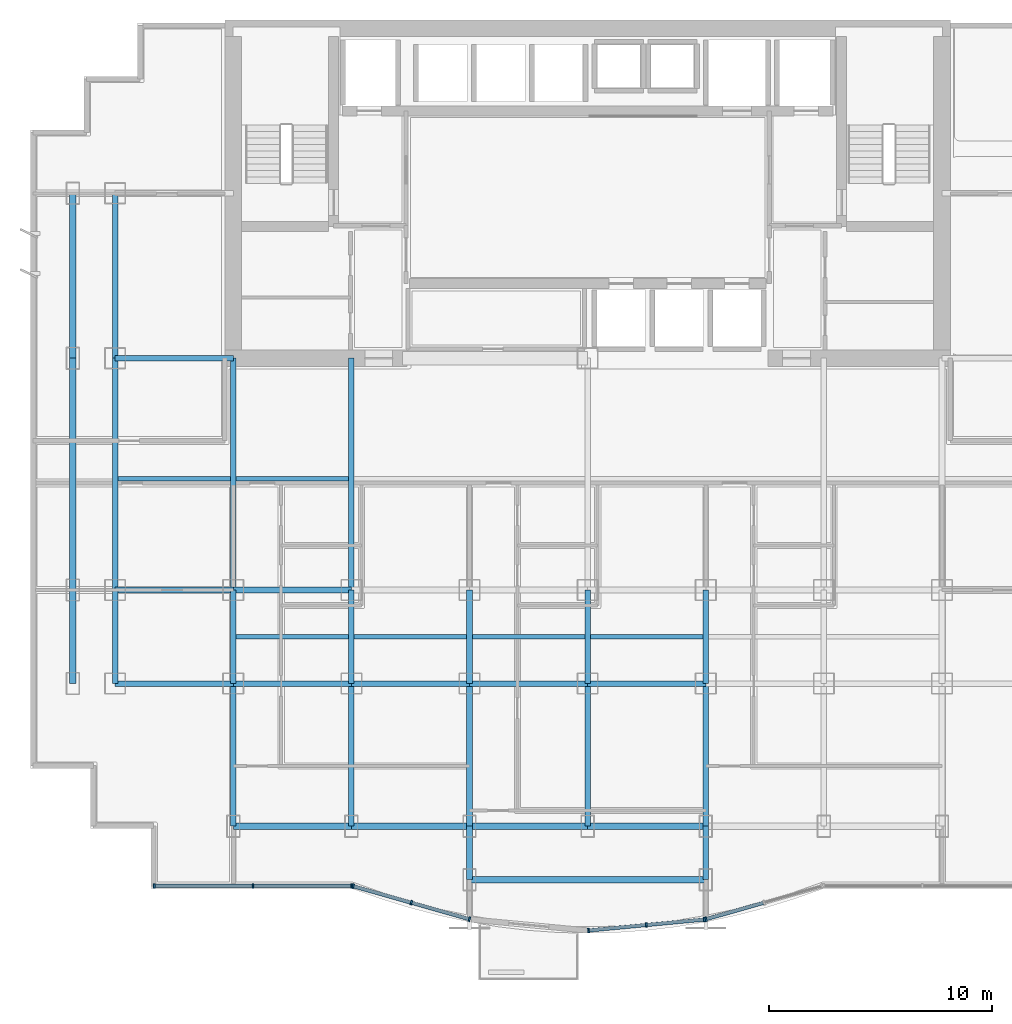
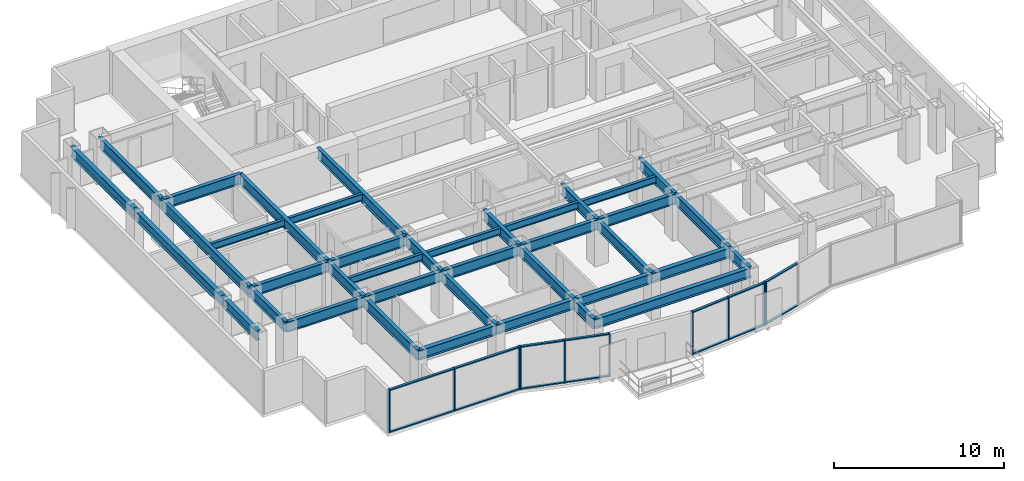
# One storey, part 2 of 9: 39 beams, 24 members, 4 elements without a shape of their own.
"""IFC4 building model written with IfcOpenShell, lengths in metres."""

from ifc_helpers import new_model, si_unit, direction, frame, origin, origin_2d, place, context, subcontext, project, spatial, rectangle, i_section, extrude, source, transform, mapped, material, layer, layer_set, material_profile, profile_set, type_object, element, aggregate, save


model = new_model("IFC4")

# Units and contexts
model_context = context("Model", 3, precision=1e-05, world=origin(), true_north=direction((0.0, 1.0)))
body_context = subcontext(model_context, "Body", "Model", "MODEL_VIEW")
ifc_project = project(units=[si_unit("LENGTHUNIT", "METRE"), si_unit("AREAUNIT", "SQUARE_METRE"), si_unit("VOLUMEUNIT", "CUBIC_METRE"), si_unit("PLANEANGLEUNIT", "RADIAN"), si_unit("MASSUNIT", "GRAM", prefix="KILO")], contexts=[model_context])

# Site, building, storey
site_placement = place(None, origin())
site = spatial("IfcSite", under=ifc_project, at=site_placement, CompositionType="ELEMENT")
building_placement = place(site_placement, origin())
building = spatial("IfcBuilding", under=site, at=building_placement, Name="Qianlan Lanfeng Residences", CompositionType="ELEMENT")
storey_placement = place(building_placement, frame((0.0, 0.0, 111.39990234375)))
storey = spatial("IfcBuildingStorey", under=building, at=storey_placement, Name="L30", CompositionType="ELEMENT", Elevation=111.39990234375)

# Beams
ifc_material_1 = material(Name="Steel SN490B", Category="steel")
ifc_material_profile_1 = material_profile(ifc_material_1, i_section(OverallWidth=0.25, OverallDepth=0.75, WebThickness=0.013916015625, FlangeThickness=0.02490234375, at=origin_2d()), Name="H 750x250x14x25")
ifc_profile_set_1 = profile_set([ifc_material_profile_1], Name="Steel SN490B")
beam_type_1 = type_object("IfcBeamType", Name="G-850", PredefinedType="BEAM", material=ifc_profile_set_1)
beam_1_placement = place(storey_placement, frame((5.300048828125, 10.60009765625, 2.715087890625), z_axis=(1.0, 0.0, 0.0), x_axis=(0.0, 1.0, 0.0)))
element("IfcBeam", 1, at=beam_1_placement, inside=storey, type_object=beam_type_1, Name="Structural beam G-850", PredefinedType="BEAM", context=body_context, shape_type="SweptSolid", body=[
    extrude(i_section(OverallWidth=0.25, OverallDepth=0.75, WebThickness=0.013916015625, FlangeThickness=0.02490234375, at=origin_2d()), origin(), (0.0, 0.0, 1.0), 5.300048828125),
])
beam_2_placement = place(storey_placement, frame((10.60009765625, 10.60009765625, 2.715087890625), z_axis=(1.0, 0.0, 0.0), x_axis=(0.0, 1.0, 0.0)))
element("IfcBeam", 2, at=beam_2_placement, inside=storey, type_object=beam_type_1, Name="Structural beam G-850", PredefinedType="BEAM", context=body_context, shape_type="SweptSolid", body=[
    extrude(i_section(OverallWidth=0.25, OverallDepth=0.75, WebThickness=0.013916015625, FlangeThickness=0.02490234375, at=origin_2d()), origin(), (0.0, 0.0, 1.0), 5.2998046875),
])
for number, where, z_axis, x_axis, name in (
    (3, (15.89990234375, 10.60009765625, 2.715087890625), (1.0, 0.0, 0.0), (0.0, 1.0, 0.0), "Structural beam G-850"),
    (4, (21.199951171875, 10.60009765625, 2.715087890625), (1.0, 0.0, 0.0), (0.0, 1.0, 0.0), "Structural beam G-850"),
    (5, (26.5, 10.60009765625, 2.715087890625), (1.0, 0.0, 0.0), (0.0, 1.0, 0.0), "Structural beam G-850"),
    (6, (5.300048828125, 14.800048828125, 2.715087890625), (1.0, 0.0, 0.0), (0.0, 1.0, 0.0), "Structural beam G-850"),
):
    element("IfcBeam", number, at=place(storey_placement, frame(where, z_axis=z_axis, x_axis=x_axis)), inside=storey, type_object=beam_type_1, Name=name, PredefinedType="BEAM", context=body_context, shape_type="SweptSolid", body=[
        extrude(i_section(OverallWidth=0.25, OverallDepth=0.75, WebThickness=0.013916015625, FlangeThickness=0.02490234375, at=origin_2d()), origin(), (0.0, 0.0, 1.0), 5.300048828125),
    ])
beam_3_placement = place(storey_placement, frame((10.60009765625, 14.800048828125, 2.715087890625), z_axis=(1.0, 0.0, 0.0), x_axis=(0.0, 1.0, 0.0)))
element("IfcBeam", 7, at=beam_3_placement, inside=storey, type_object=beam_type_1, Name="Structural beam G-850", PredefinedType="BEAM", context=body_context, shape_type="SweptSolid", body=[
    extrude(i_section(OverallWidth=0.25, OverallDepth=0.75, WebThickness=0.013916015625, FlangeThickness=0.02490234375, at=origin_2d()), origin(), (0.0, 0.0, 1.0), 5.2998046875),
])
beam_4_placement = place(storey_placement, frame((5.300048828125, 25.199951171875, 2.715087890625), z_axis=(1.0, 0.0, 0.0), x_axis=(0.0, 1.0, 0.0)))
element("IfcBeam", 8, at=beam_4_placement, inside=storey, type_object=beam_type_1, Name="Structural beam G-850", PredefinedType="BEAM", context=body_context, shape_type="SweptSolid", body=[
    extrude(i_section(OverallWidth=0.25, OverallDepth=0.75, WebThickness=0.013916015625, FlangeThickness=0.02490234375, at=origin_2d()), origin(), (0.0, 0.0, 1.0), 5.300048828125),
])
beam_5_placement = place(storey_placement, frame((5.300048828125, 10.60009765625, 2.715087890625), z_axis=(0.0, 1.0, 0.0), x_axis=(-1.0, 0.0, 0.0)))
element("IfcBeam", 9, at=beam_5_placement, inside=storey, type_object=beam_type_1, Name="Structural beam G-850", PredefinedType="BEAM", context=body_context, shape_type="SweptSolid", body=[
    extrude(i_section(OverallWidth=0.25, OverallDepth=0.75, WebThickness=0.013916015625, FlangeThickness=0.02490234375, at=origin_2d()), origin(), (0.0, 0.0, 1.0), 4.199951171875),
])
beam_6_placement = place(storey_placement, frame((5.300048828125, 14.800048828125, 2.715087890625), z_axis=(0.0, 1.0, 0.0), x_axis=(-1.0, 0.0, 0.0)))
element("IfcBeam", 10, at=beam_6_placement, inside=storey, type_object=beam_type_1, Name="Structural beam G-850", PredefinedType="BEAM", context=body_context, shape_type="SweptSolid", body=[
    extrude(i_section(OverallWidth=0.25, OverallDepth=0.75, WebThickness=0.013916015625, FlangeThickness=0.02490234375, at=origin_2d()), origin(), (0.0, 0.0, 1.0), 10.39990234375),
])
beam_7_placement = place(storey_placement, frame((5.300048828125, 25.199951171875, 2.715087890625), z_axis=(0.0, 1.0, 0.0), x_axis=(-1.0, 0.0, 0.0)))
element("IfcBeam", 11, at=beam_7_placement, inside=storey, type_object=beam_type_1, Name="Structural beam G-850", PredefinedType="BEAM", context=body_context, shape_type="SweptSolid", body=[
    extrude(i_section(OverallWidth=0.25, OverallDepth=0.75, WebThickness=0.013916015625, FlangeThickness=0.02490234375, at=origin_2d()), origin(), (0.0, 0.0, 1.0), 7.400146484375),
])
beam_8_placement = place(storey_placement, frame((10.60009765625, 4.199951171875, 2.715087890625), z_axis=(0.0, 1.0, 0.0), x_axis=(-1.0, 0.0, 0.0)))
element("IfcBeam", 12, at=beam_8_placement, inside=storey, type_object=beam_type_1, Name="Structural beam G-850", PredefinedType="BEAM", context=body_context, shape_type="SweptSolid", body=[
    extrude(i_section(OverallWidth=0.25, OverallDepth=0.75, WebThickness=0.013916015625, FlangeThickness=0.02490234375, at=origin_2d()), origin(), (0.0, 0.0, 1.0), 6.400146484375),
])
beam_9_placement = place(storey_placement, frame((10.60009765625, 10.60009765625, 2.715087890625), z_axis=(0.0, 1.0, 0.0), x_axis=(-1.0, 0.0, 0.0)))
element("IfcBeam", 13, at=beam_9_placement, inside=storey, type_object=beam_type_1, Name="Structural beam G-850", PredefinedType="BEAM", context=body_context, shape_type="SweptSolid", body=[
    extrude(i_section(OverallWidth=0.25, OverallDepth=0.75, WebThickness=0.013916015625, FlangeThickness=0.02490234375, at=origin_2d()), origin(), (0.0, 0.0, 1.0), 4.199951171875),
])
beam_10_placement = place(storey_placement, frame((10.60009765625, 14.800048828125, 2.715087890625), z_axis=(0.0, 1.0, 0.0), x_axis=(-1.0, 0.0, 0.0)))
element("IfcBeam", 14, at=beam_10_placement, inside=storey, type_object=beam_type_1, Name="Structural beam G-850", PredefinedType="BEAM", context=body_context, shape_type="SweptSolid", body=[
    extrude(i_section(OverallWidth=0.25, OverallDepth=0.75, WebThickness=0.013916015625, FlangeThickness=0.02490234375, at=origin_2d()), origin(), (0.0, 0.0, 1.0), 10.39990234375),
])
beam_11_placement = place(storey_placement, frame((15.89990234375, 4.199951171875, 2.715087890625), z_axis=(0.0, 1.0, 0.0), x_axis=(-1.0, 0.0, 0.0)))
element("IfcBeam", 15, at=beam_11_placement, inside=storey, type_object=beam_type_1, Name="Structural beam G-850", PredefinedType="BEAM", context=body_context, shape_type="SweptSolid", body=[
    extrude(i_section(OverallWidth=0.25, OverallDepth=0.75, WebThickness=0.013916015625, FlangeThickness=0.02490234375, at=origin_2d()), origin(), (0.0, 0.0, 1.0), 6.400146484375),
])
beam_12_placement = place(storey_placement, frame((15.89990234375, 10.60009765625, 2.715087890625), z_axis=(0.0, 1.0, 0.0), x_axis=(-1.0, 0.0, 0.0)))
element("IfcBeam", 16, at=beam_12_placement, inside=storey, type_object=beam_type_1, Name="Structural beam G-850", PredefinedType="BEAM", context=body_context, shape_type="SweptSolid", body=[
    extrude(i_section(OverallWidth=0.25, OverallDepth=0.75, WebThickness=0.013916015625, FlangeThickness=0.02490234375, at=origin_2d()), origin(), (0.0, 0.0, 1.0), 4.199951171875),
])
beam_13_placement = place(storey_placement, frame((15.89990234375, 14.800048828125, 2.715087890625), z_axis=(0.0, 1.0, 0.0), x_axis=(-1.0, 0.0, 0.0)))
element("IfcBeam", 17, at=beam_13_placement, inside=storey, type_object=beam_type_1, Name="Structural beam G-850", PredefinedType="BEAM", context=body_context, shape_type="SweptSolid", body=[
    extrude(i_section(OverallWidth=0.25, OverallDepth=0.75, WebThickness=0.013916015625, FlangeThickness=0.02490234375, at=origin_2d()), origin(), (0.0, 0.0, 1.0), 10.39990234375),
])
beam_14_placement = place(storey_placement, frame((21.199951171875, 1.800048828125, 2.715087890625), z_axis=(0.0, 1.0, 0.0), x_axis=(-1.0, 0.0, 0.0)))
element("IfcBeam", 18, at=beam_14_placement, inside=storey, type_object=beam_type_1, Name="Structural beam G-850", PredefinedType="BEAM", context=body_context, shape_type="SweptSolid", body=[
    extrude(i_section(OverallWidth=0.25, OverallDepth=0.75, WebThickness=0.013916015625, FlangeThickness=0.02490234375, at=origin_2d()), origin(), (0.0, 0.0, 1.0), 2.39990234375),
])
beam_15_placement = place(storey_placement, frame((21.199951171875, 4.199951171875, 2.715087890625), z_axis=(0.0, 1.0, 0.0), x_axis=(-1.0, 0.0, 0.0)))
element("IfcBeam", 19, at=beam_15_placement, inside=storey, type_object=beam_type_1, Name="Structural beam G-850", PredefinedType="BEAM", context=body_context, shape_type="SweptSolid", body=[
    extrude(i_section(OverallWidth=0.25, OverallDepth=0.75, WebThickness=0.013916015625, FlangeThickness=0.02490234375, at=origin_2d()), origin(), (0.0, 0.0, 1.0), 6.400146484375),
])
beam_16_placement = place(storey_placement, frame((21.199951171875, 10.60009765625, 2.715087890625), z_axis=(0.0, 1.0, 0.0), x_axis=(-1.0, 0.0, 0.0)))
element("IfcBeam", 20, at=beam_16_placement, inside=storey, type_object=beam_type_1, Name="Structural beam G-850", PredefinedType="BEAM", context=body_context, shape_type="SweptSolid", body=[
    extrude(i_section(OverallWidth=0.25, OverallDepth=0.75, WebThickness=0.013916015625, FlangeThickness=0.02490234375, at=origin_2d()), origin(), (0.0, 0.0, 1.0), 4.199951171875),
])
beam_17_placement = place(storey_placement, frame((26.5, 4.199951171875, 2.715087890625), z_axis=(0.0, 1.0, 0.0), x_axis=(-1.0, 0.0, 0.0)))
element("IfcBeam", 21, at=beam_17_placement, inside=storey, type_object=beam_type_1, Name="Structural beam G-850", PredefinedType="BEAM", context=body_context, shape_type="SweptSolid", body=[
    extrude(i_section(OverallWidth=0.25, OverallDepth=0.75, WebThickness=0.013916015625, FlangeThickness=0.02490234375, at=origin_2d()), origin(), (0.0, 0.0, 1.0), 6.400146484375),
])
beam_18_placement = place(storey_placement, frame((26.5, 10.60009765625, 2.715087890625), z_axis=(0.0, 1.0, 0.0), x_axis=(-1.0, 0.0, 0.0)))
element("IfcBeam", 22, at=beam_18_placement, inside=storey, type_object=beam_type_1, Name="Structural beam G-850", PredefinedType="BEAM", context=body_context, shape_type="SweptSolid", body=[
    extrude(i_section(OverallWidth=0.25, OverallDepth=0.75, WebThickness=0.013916015625, FlangeThickness=0.02490234375, at=origin_2d()), origin(), (0.0, 0.0, 1.0), 4.199951171875),
])
beam_19_placement = place(storey_placement, frame((31.800048828125, 1.800048828125, 2.715087890625), z_axis=(0.0, 1.0, 0.0), x_axis=(-1.0, 0.0, 0.0)))
element("IfcBeam", 23, at=beam_19_placement, inside=storey, type_object=beam_type_1, Name="Structural beam G-850", PredefinedType="BEAM", context=body_context, shape_type="SweptSolid", body=[
    extrude(i_section(OverallWidth=0.25, OverallDepth=0.75, WebThickness=0.013916015625, FlangeThickness=0.02490234375, at=origin_2d()), origin(), (0.0, 0.0, 1.0), 2.39990234375),
])
beam_20_placement = place(storey_placement, frame((31.800048828125, 4.199951171875, 2.715087890625), z_axis=(0.0, 1.0, 0.0), x_axis=(-1.0, 0.0, 0.0)))
element("IfcBeam", 24, at=beam_20_placement, inside=storey, type_object=beam_type_1, Name="Structural beam G-850", PredefinedType="BEAM", context=body_context, shape_type="SweptSolid", body=[
    extrude(i_section(OverallWidth=0.25, OverallDepth=0.75, WebThickness=0.013916015625, FlangeThickness=0.02490234375, at=origin_2d()), origin(), (0.0, 0.0, 1.0), 6.400146484375),
])
beam_21_placement = place(storey_placement, frame((31.800048828125, 10.60009765625, 2.715087890625), z_axis=(0.0, 1.0, 0.0), x_axis=(-1.0, 0.0, 0.0)))
element("IfcBeam", 25, at=beam_21_placement, inside=storey, type_object=beam_type_1, Name="Structural beam G-850", PredefinedType="BEAM", context=body_context, shape_type="SweptSolid", body=[
    extrude(i_section(OverallWidth=0.25, OverallDepth=0.75, WebThickness=0.013916015625, FlangeThickness=0.02490234375, at=origin_2d()), origin(), (0.0, 0.0, 1.0), 4.199951171875),
])
ifc_material_profile_2 = material_profile(ifc_material_1, i_section(OverallWidth=0.199951171875, OverallDepth=0.5, WebThickness=0.010009765625, FlangeThickness=0.01611328125, at=origin_2d()), Name="H 500x200x10x16")
ifc_profile_set_2 = profile_set([ifc_material_profile_2], Name="Steel SN490B")
beam_type_2 = type_object("IfcBeamType", Name="J-500", PredefinedType="JOIST", material=ifc_profile_set_2)
beam_22_placement = place(storey_placement, frame((10.72509765625, 12.699951171875, 2.840087890625), z_axis=(1.0, 0.0, 0.0), x_axis=(0.0, 1.0, 0.0)))
element("IfcBeam", 26, at=beam_22_placement, inside=storey, type_object=beam_type_2, Name="Structural beam J-500", PredefinedType="JOIST", context=body_context, shape_type="SweptSolid", body=[
    extrude(i_section(OverallWidth=0.199951171875, OverallDepth=0.5, WebThickness=0.010009765625, FlangeThickness=0.01611328125, at=origin_2d()), origin(), (0.0, 0.0, 1.0), 5.0498046875),
])
for number, where, z_axis, x_axis, name in (
    (27, (16.02490234375, 12.699951171875, 2.840087890625), (1.0, 0.0, 0.0), (0.0, 1.0, 0.0), "Structural beam J-500"),
    (28, (21.324951171875, 12.699951171875, 2.840087890625), (1.0, 0.0, 0.0), (0.0, 1.0, 0.0), "Structural beam J-500"),
    (29, (26.625, 12.699951171875, 2.840087890625), (1.0, 0.0, 0.0), (0.0, 1.0, 0.0), "Structural beam J-500"),
    (30, (5.425048828125, 19.800048828125, 2.840087890625), (1.0, 0.0, 0.0), (0.0, 1.0, 0.0), "Structural beam J-500"),
):
    element("IfcBeam", number, at=place(storey_placement, frame(where, z_axis=z_axis, x_axis=x_axis)), inside=storey, type_object=beam_type_2, Name=name, PredefinedType="JOIST", context=body_context, shape_type="SweptSolid", body=[
        extrude(i_section(OverallWidth=0.199951171875, OverallDepth=0.5, WebThickness=0.010009765625, FlangeThickness=0.01611328125, at=origin_2d()), origin(), (0.0, 0.0, 1.0), 5.050048828125),
    ])
beam_23_placement = place(storey_placement, frame((10.72509765625, 19.800048828125, 2.840087890625), z_axis=(1.0, 0.0, 0.0), x_axis=(0.0, 1.0, 0.0)))
element("IfcBeam", 31, at=beam_23_placement, inside=storey, type_object=beam_type_2, Name="Structural beam J-500", PredefinedType="JOIST", context=body_context, shape_type="SweptSolid", body=[
    extrude(i_section(OverallWidth=0.199951171875, OverallDepth=0.5, WebThickness=0.010009765625, FlangeThickness=0.01611328125, at=origin_2d()), origin(), (0.0, 0.0, 1.0), 5.0498046875),
])
ifc_material_profile_3 = material_profile(ifc_material_1, i_section(OverallWidth=0.300048828125, OverallDepth=0.699951171875, WebThickness=0.012939453125, FlangeThickness=0.02392578125, at=origin_2d()), Name="H 700x300x13x24")
ifc_profile_set_3 = profile_set([ifc_material_profile_3], Name="Steel SN490B")
beam_type_3 = type_object("IfcBeamType", Name="SG-750", PredefinedType="SPANDREL", material=ifc_profile_set_3)
beam_24_placement = place(storey_placement, frame((21.199951171875, 1.800048828125, 2.739990234375), z_axis=(1.0, 0.0, 0.0), x_axis=(0.0, 1.0, 0.0)))
element("IfcBeam", 32, at=beam_24_placement, inside=storey, type_object=beam_type_3, Name="Structural beam SG-750", PredefinedType="SPANDREL", context=body_context, shape_type="SweptSolid", body=[
    extrude(i_section(OverallWidth=0.300048828125, OverallDepth=0.699951171875, WebThickness=0.012939453125, FlangeThickness=0.02392578125, at=origin_2d()), origin(), (0.0, 0.0, 1.0), 10.60009765625),
])
beam_25_placement = place(storey_placement, frame((10.60009765625, 4.199951171875, 2.739990234375), z_axis=(1.0, 0.0, 0.0), x_axis=(0.0, 1.0, 0.0)))
element("IfcBeam", 33, at=beam_25_placement, inside=storey, type_object=beam_type_3, Name="Structural beam SG-750", PredefinedType="SPANDREL", context=body_context, shape_type="SweptSolid", body=[
    extrude(i_section(OverallWidth=0.300048828125, OverallDepth=0.699951171875, WebThickness=0.012939453125, FlangeThickness=0.02392578125, at=origin_2d()), origin(), (0.0, 0.0, 1.0), 5.2998046875),
])
for number, where, z_axis, x_axis, name in (
    (34, (15.89990234375, 4.199951171875, 2.739990234375), (1.0, 0.0, 0.0), (0.0, 1.0, 0.0), "Structural beam SG-750"),
    (35, (21.199951171875, 4.199951171875, 2.739990234375), (1.0, 0.0, 0.0), (0.0, 1.0, 0.0), "Structural beam SG-750"),
    (36, (26.5, 4.199951171875, 2.739990234375), (1.0, 0.0, 0.0), (0.0, 1.0, 0.0), "Structural beam SG-750"),
):
    element("IfcBeam", number, at=place(storey_placement, frame(where, z_axis=z_axis, x_axis=x_axis)), inside=storey, type_object=beam_type_3, Name=name, PredefinedType="SPANDREL", context=body_context, shape_type="SweptSolid", body=[
        extrude(i_section(OverallWidth=0.300048828125, OverallDepth=0.699951171875, WebThickness=0.012939453125, FlangeThickness=0.02392578125, at=origin_2d()), origin(), (0.0, 0.0, 1.0), 5.300048828125),
    ])
beam_26_placement = place(storey_placement, frame((3.39990234375, 10.60009765625, 2.739990234375), z_axis=(0.0, 1.0, 0.0), x_axis=(-1.0, 0.0, 0.0)))
element("IfcBeam", 37, at=beam_26_placement, inside=storey, type_object=beam_type_3, Name="Structural beam SG-750", PredefinedType="SPANDREL", context=body_context, shape_type="SweptSolid", body=[
    extrude(i_section(OverallWidth=0.300048828125, OverallDepth=0.699951171875, WebThickness=0.012939453125, FlangeThickness=0.02392578125, at=origin_2d()), origin(), (0.0, 0.0, 1.0), 4.199951171875),
])
beam_27_placement = place(storey_placement, frame((3.39990234375, 14.800048828125, 2.739990234375), z_axis=(0.0, 1.0, 0.0), x_axis=(-1.0, 0.0, 0.0)))
element("IfcBeam", 38, at=beam_27_placement, inside=storey, type_object=beam_type_3, Name="Structural beam SG-750", PredefinedType="SPANDREL", context=body_context, shape_type="SweptSolid", body=[
    extrude(i_section(OverallWidth=0.300048828125, OverallDepth=0.699951171875, WebThickness=0.012939453125, FlangeThickness=0.02392578125, at=origin_2d()), origin(), (0.0, 0.0, 1.0), 10.39990234375),
])
beam_28_placement = place(storey_placement, frame((3.39990234375, 25.199951171875, 2.739990234375), z_axis=(0.0, 1.0, 0.0), x_axis=(-1.0, 0.0, 0.0)))
element("IfcBeam", 39, at=beam_28_placement, inside=storey, type_object=beam_type_3, Name="Structural beam SG-750", PredefinedType="SPANDREL", context=body_context, shape_type="SweptSolid", body=[
    extrude(i_section(OverallWidth=0.300048828125, OverallDepth=0.699951171875, WebThickness=0.012939453125, FlangeThickness=0.02392578125, at=origin_2d()), origin(), (0.0, 0.0, 1.0), 7.400146484375),
])

# Curtain wall, members
ifc_material_2 = material(Name="Anodised Bronze Aluminium 6063-T6", Category="aluminium")
ifc_layer = layer(ifc_material_2, 0.219970703125)
ifc_layer_set = layer_set([ifc_layer], Name="Anodised Bronze Aluminium 6063-T6")
curtain_wall_type = type_object("IfcCurtainWallType", Name="CW-03", PredefinedType="NOTDEFINED", material=ifc_layer_set)
curtain_wall_1_placement = place(storey_placement, origin())
curtain_wall_1 = element("IfcCurtainWall", 40, at=curtain_wall_1_placement, inside=storey, type_object=curtain_wall_type, Name="L30 Unitised Curtain Wall CWR-L30-01 (CW-03)", PredefinedType="NOTDEFINED")
ifc_material_profile_4 = material_profile(ifc_material_2, rectangle(XDim=0.080078125, YDim=0.159912109375, at=origin_2d()), Name="ALU TRANSOM 80x160")
ifc_profile_set_4 = profile_set([ifc_material_profile_4], Name="Anodised Bronze Aluminium 6063-T6")
member_type_1 = type_object("IfcMemberType", Name="CWT-180", PredefinedType="USERDEFINED", material=ifc_profile_set_4)
shared_shape_1 = source(origin(), body_context, "Body", "SweptSolid", [
    extrude(rectangle(XDim=0.080078125, YDim=0.159912109375, at=origin_2d()), origin(), (0.0, 0.0, 1.0), 4.34033203125),
])
member_1_placement = place(storey_placement, frame((7.10009765625, 1.52001953125, 0.0400390625), z_axis=(1.0, 0.0, 0.0), x_axis=(0.0, 0.0, 1.0)))
member_1 = element("IfcMember", 41, at=member_1_placement, type_object=member_type_1, Name="CWR-L30-01 Transom 1-BOT", ObjectType="TRANSOM", PredefinedType="USERDEFINED", context=body_context, shape_type="MappedRepresentation", body=[
    mapped(shared_shape_1, transform((0.0, 0.0, 0.0), scale=1.0)),
])
member_2_placement = place(storey_placement, frame((7.10009765625, 1.52001953125, 3.050048828125), z_axis=(1.0, 0.0, 0.0), x_axis=(0.0, 0.0, 1.0)))
member_2 = element("IfcMember", 42, at=member_2_placement, type_object=member_type_1, Name="CWR-L30-01 Transom 1-TOP", ObjectType="TRANSOM", PredefinedType="USERDEFINED", context=body_context, shape_type="MappedRepresentation", body=[
    mapped(shared_shape_1, transform((0.0, 0.0, 0.0), scale=1.0)),
])
shared_shape_2 = source(origin(), body_context, "Body", "SweptSolid", [
    extrude(rectangle(XDim=0.080078125, YDim=0.159912109375, at=origin_2d()), origin(), (0.0, 0.0, 1.0), 4.340576171875),
])
member_3_placement = place(storey_placement, frame((11.5205078125, 1.52001953125, 0.0400390625), z_axis=(1.0, 0.0, 0.0), x_axis=(0.0, 0.0, 1.0)))
member_3 = element("IfcMember", 43, at=member_3_placement, type_object=member_type_1, Name="CWR-L30-01 Transom 2-BOT", ObjectType="TRANSOM", PredefinedType="USERDEFINED", context=body_context, shape_type="MappedRepresentation", body=[
    mapped(shared_shape_2, transform((0.0, 0.0, 0.0), scale=1.0)),
])
member_4_placement = place(storey_placement, frame((11.5205078125, 1.52001953125, 3.050048828125), z_axis=(1.0, 0.0, 0.0), x_axis=(0.0, 0.0, 1.0)))
member_4 = element("IfcMember", 44, at=member_4_placement, type_object=member_type_1, Name="CWR-L30-01 Transom 2-TOP", ObjectType="TRANSOM", PredefinedType="USERDEFINED", context=body_context, shape_type="MappedRepresentation", body=[
    mapped(shared_shape_2, transform((0.0, 0.0, 0.0), scale=1.0)),
])

curtain_wall_2_placement = place(storey_placement, origin())
curtain_wall_2 = element("IfcCurtainWall", 45, at=curtain_wall_2_placement, inside=storey, type_object=curtain_wall_type, Name="L30 Unitised Curtain Wall CWR-L30-02 (CW-03)", PredefinedType="NOTDEFINED")
shared_shape_3 = source(origin(), body_context, "Body", "SweptSolid", [
    extrude(rectangle(XDim=0.080078125, YDim=0.159912109375, at=origin_2d()), origin(), (0.0, 0.0, 1.0), 2.630126953125),
])
member_5_placement = place(storey_placement, frame((16.01806640625, 1.498291015625, 0.0400390625), z_axis=(0.961960587005, -0.273188266675, 0.0), x_axis=(0.0, 0.0, 1.0)))
member_5 = element("IfcMember", 46, at=member_5_placement, type_object=member_type_1, Name="CWR-L30-02 Transom 1-BOT", ObjectType="TRANSOM", PredefinedType="USERDEFINED", context=body_context, shape_type="MappedRepresentation", body=[
    mapped(shared_shape_3, transform((0.0, 0.0, 0.0), scale=1.0)),
])
member_6_placement = place(storey_placement, frame((16.01806640625, 1.498291015625, 3.050048828125), z_axis=(0.961960587005, -0.273188266675, 0.0), x_axis=(0.0, 0.0, 1.0)))
member_6 = element("IfcMember", 47, at=member_6_placement, type_object=member_type_1, Name="CWR-L30-02 Transom 1-TOP", ObjectType="TRANSOM", PredefinedType="USERDEFINED", context=body_context, shape_type="MappedRepresentation", body=[
    mapped(shared_shape_3, transform((0.0, 0.0, 0.0), scale=1.0)),
])
member_7_placement = place(storey_placement, frame((18.625, 0.758056640625, 0.0400390625), z_axis=(0.961984978242, -0.273102364758, 0.0), x_axis=(0.0, 0.0, 1.0)))
member_7 = element("IfcMember", 48, at=member_7_placement, type_object=member_type_1, Name="CWR-L30-02 Transom 2-BOT", ObjectType="TRANSOM", PredefinedType="USERDEFINED", context=body_context, shape_type="MappedRepresentation", body=[
    mapped(shared_shape_3, transform((0.0, 0.0, 0.0), scale=1.0)),
])
member_8_placement = place(storey_placement, frame((18.625, 0.758056640625, 3.050048828125), z_axis=(0.961984978242, -0.273102364758, 0.0), x_axis=(0.0, 0.0, 1.0)))
member_8 = element("IfcMember", 49, at=member_8_placement, type_object=member_type_1, Name="CWR-L30-02 Transom 2-TOP", ObjectType="TRANSOM", PredefinedType="USERDEFINED", context=body_context, shape_type="MappedRepresentation", body=[
    mapped(shared_shape_3, transform((0.0, 0.0, 0.0), scale=1.0)),
])

curtain_wall_3_placement = place(storey_placement, origin())
curtain_wall_3 = element("IfcCurtainWall", 50, at=curtain_wall_3_placement, inside=storey, type_object=curtain_wall_type, Name="L30 Unitised Curtain Wall CWR-L30-04 (CW-03)", PredefinedType="NOTDEFINED")
member_9_placement = place(storey_placement, frame((31.844970703125, 0.039794921875, 0.0400390625), z_axis=(0.961984978242, 0.273102364758, 0.0), x_axis=(0.0, 0.0, 1.0)))
member_9 = element("IfcMember", 51, at=member_9_placement, type_object=member_type_1, Name="CWR-L30-04 Transom 1-BOT", ObjectType="TRANSOM", PredefinedType="USERDEFINED", context=body_context, shape_type="MappedRepresentation", body=[
    mapped(shared_shape_3, transform((0.0, 0.0, 0.0), scale=1.0)),
])
member_10_placement = place(storey_placement, frame((31.844970703125, 0.039794921875, 3.050048828125), z_axis=(0.961984978242, 0.273102364758, 0.0), x_axis=(0.0, 0.0, 1.0)))
member_10 = element("IfcMember", 52, at=member_10_placement, type_object=member_type_1, Name="CWR-L30-04 Transom 1-TOP", ObjectType="TRANSOM", PredefinedType="USERDEFINED", context=body_context, shape_type="MappedRepresentation", body=[
    mapped(shared_shape_3, transform((0.0, 0.0, 0.0), scale=1.0)),
])

curtain_wall_4_placement = place(storey_placement, origin())
curtain_wall_4 = element("IfcCurtainWall", 53, at=curtain_wall_4_placement, inside=storey, type_object=curtain_wall_type, Name="L30 Unitised Curtain Wall CWR-L30-03 (CW-03)", PredefinedType="NOTDEFINED")
shared_shape_4 = source(origin(), body_context, "Body", "SweptSolid", [
    extrude(rectangle(XDim=0.080078125, YDim=0.159912109375, at=origin_2d()), origin(), (0.0, 0.0, 1.0), 2.52587890625),
])
member_11_placement = place(storey_placement, frame((29.173828125, -0.227294921875, 0.0400390625), z_axis=(0.995558673677, 0.094143121181, 0.0), x_axis=(0.0, 0.0, 1.0)))
member_11 = element("IfcMember", 54, at=member_11_placement, type_object=member_type_1, Name="CWR-L30-03 Transom 2-BOT", ObjectType="TRANSOM", PredefinedType="USERDEFINED", context=body_context, shape_type="MappedRepresentation", body=[
    mapped(shared_shape_4, transform((0.0, 0.0, 0.0), scale=1.0)),
])
member_12_placement = place(storey_placement, frame((29.173828125, -0.227294921875, 3.050048828125), z_axis=(0.995558673677, 0.094143121181, 0.0), x_axis=(0.0, 0.0, 1.0)))
member_12 = element("IfcMember", 55, at=member_12_placement, type_object=member_type_1, Name="CWR-L30-03 Transom 2-TOP", ObjectType="TRANSOM", PredefinedType="USERDEFINED", context=body_context, shape_type="MappedRepresentation", body=[
    mapped(shared_shape_4, transform((0.0, 0.0, 0.0), scale=1.0)),
])
shared_shape_5 = source(origin(), body_context, "Body", "SweptSolid", [
    extrude(rectangle(XDim=0.080078125, YDim=0.159912109375, at=origin_2d()), origin(), (0.0, 0.0, 1.0), 2.525634765625),
])
member_13_placement = place(storey_placement, frame((26.57958984375, -0.472412109375, 0.0400390625), z_axis=(0.995566873206, 0.094056371262, 0.0), x_axis=(0.0, 0.0, 1.0)))
member_13 = element("IfcMember", 56, at=member_13_placement, type_object=member_type_1, Name="CWR-L30-03 Transom 1-BOT", ObjectType="TRANSOM", PredefinedType="USERDEFINED", context=body_context, shape_type="MappedRepresentation", body=[
    mapped(shared_shape_5, transform((0.0, 0.0, 0.0), scale=1.0)),
])
member_14_placement = place(storey_placement, frame((26.57958984375, -0.472412109375, 3.050048828125), z_axis=(0.995566873206, 0.094056371262, 0.0), x_axis=(0.0, 0.0, 1.0)))
member_14 = element("IfcMember", 57, at=member_14_placement, type_object=member_type_1, Name="CWR-L30-03 Transom 1-TOP", ObjectType="TRANSOM", PredefinedType="USERDEFINED", context=body_context, shape_type="MappedRepresentation", body=[
    mapped(shared_shape_5, transform((0.0, 0.0, 0.0), scale=1.0)),
])

# Member
ifc_material_profile_5 = material_profile(ifc_material_2, rectangle(XDim=0.080078125, YDim=0.2099609375, at=origin_2d()), Name="ALU MULLION 80x210")
ifc_profile_set_5 = profile_set([ifc_material_profile_5], Name="Anodised Bronze Aluminium 6063-T6")
member_type_2 = type_object("IfcMemberType", Name="CWM-220", PredefinedType="MULLION", material=ifc_profile_set_5)
shared_shape_6 = source(origin(), body_context, "Body", "SweptSolid", [
    extrude(rectangle(XDim=0.080078125, YDim=0.2099609375, at=origin_2d()), origin(), (0.0, 0.0, 1.0), 3.090087890625),
])
member_15_placement = place(storey_placement, frame((7.06005859375, 1.52001953125, 0.0), z_axis=(0.0, 0.0, 1.0), x_axis=(1.0, 0.0, 0.0)))
member_15 = element("IfcMember", 58, at=member_15_placement, type_object=member_type_2, Name="CWR-L30-01 Mullion 1", PredefinedType="MULLION", context=body_context, shape_type="MappedRepresentation", body=[
    mapped(shared_shape_6, transform((0.0, 0.0, 0.0), scale=1.0)),
])

member_16_placement = place(storey_placement, frame((11.48046875, 1.52001953125, 0.0), z_axis=(0.0, 0.0, 1.0), x_axis=(1.0, 0.0, 0.0)))
member_16 = element("IfcMember", 59, at=member_16_placement, type_object=member_type_2, Name="CWR-L30-01 Mullion 2", PredefinedType="MULLION", context=body_context, shape_type="MappedRepresentation", body=[
    mapped(shared_shape_6, transform((0.0, 0.0, 0.0), scale=1.0)),
])

member_17_placement = place(storey_placement, frame((15.90087890625, 1.52001953125, 0.0), z_axis=(0.0, 0.0, 1.0), x_axis=(1.0, 0.0, 0.0)))
member_17 = element("IfcMember", 60, at=member_17_placement, type_object=member_type_2, Name="CWR-L30-01 Mullion 3", PredefinedType="MULLION", context=body_context, shape_type="MappedRepresentation", body=[
    mapped(shared_shape_6, transform((0.0, 0.0, 0.0), scale=1.0)),
])

aggregate(curtain_wall_1, [member_15, member_16, member_17, member_1, member_2, member_3, member_4])

member_18_placement = place(storey_placement, frame((15.9794921875, 1.509033203125, 0.0), z_axis=(0.0, 0.0, 1.0), x_axis=(0.961989074302, -0.273087936247, 0.0)))
member_18 = element("IfcMember", 61, at=member_18_placement, type_object=member_type_2, Name="CWR-L30-02 Mullion 1", PredefinedType="MULLION", context=body_context, shape_type="MappedRepresentation", body=[
    mapped(shared_shape_6, transform((0.0, 0.0, 0.0), scale=1.0)),
])

member_19_placement = place(storey_placement, frame((18.58642578125, 0.76904296875, 0.0), z_axis=(0.0, 0.0, 1.0), x_axis=(0.961989074302, -0.273087936247, 0.0)))
member_19 = element("IfcMember", 62, at=member_19_placement, type_object=member_type_2, Name="CWR-L30-02 Mullion 2", PredefinedType="MULLION", context=body_context, shape_type="MappedRepresentation", body=[
    mapped(shared_shape_6, transform((0.0, 0.0, 0.0), scale=1.0)),
])

member_20_placement = place(storey_placement, frame((21.193603515625, 0.02880859375, 0.0), z_axis=(0.0, 0.0, 1.0), x_axis=(0.961989074302, -0.273087936247, 0.0)))
member_20 = element("IfcMember", 63, at=member_20_placement, type_object=member_type_2, Name="CWR-L30-02 Mullion 3", PredefinedType="MULLION", context=body_context, shape_type="MappedRepresentation", body=[
    mapped(shared_shape_6, transform((0.0, 0.0, 0.0), scale=1.0)),
])

aggregate(curtain_wall_2, [member_18, member_19, member_20, member_5, member_6, member_7, member_8])

member_21_placement = place(storey_placement, frame((26.539794921875, -0.476318359375, 0.0), z_axis=(0.0, 0.0, 1.0), x_axis=(0.995561471839, 0.094113526067, 0.0)))
member_21 = element("IfcMember", 64, at=member_21_placement, type_object=member_type_2, Name="CWR-L30-03 Mullion 1", PredefinedType="MULLION", context=body_context, shape_type="MappedRepresentation", body=[
    mapped(shared_shape_6, transform((0.0, 0.0, 0.0), scale=1.0)),
])

member_22_placement = place(storey_placement, frame((29.134033203125, -0.23095703125, 0.0), z_axis=(0.0, 0.0, 1.0), x_axis=(0.995561471839, 0.094113526067, 0.0)))
member_22 = element("IfcMember", 65, at=member_22_placement, type_object=member_type_2, Name="CWR-L30-03 Mullion 2", PredefinedType="MULLION", context=body_context, shape_type="MappedRepresentation", body=[
    mapped(shared_shape_6, transform((0.0, 0.0, 0.0), scale=1.0)),
])

member_23_placement = place(storey_placement, frame((31.728271484375, 0.01416015625, 0.0), z_axis=(0.0, 0.0, 1.0), x_axis=(0.995561471839, 0.094113526067, 0.0)))
member_23 = element("IfcMember", 66, at=member_23_placement, type_object=member_type_2, Name="CWR-L30-03 Mullion 3", PredefinedType="MULLION", context=body_context, shape_type="MappedRepresentation", body=[
    mapped(shared_shape_6, transform((0.0, 0.0, 0.0), scale=1.0)),
])

aggregate(curtain_wall_4, [member_21, member_22, member_23, member_13, member_14, member_11, member_12])

member_24_placement = place(storey_placement, frame((31.806396484375, 0.02880859375, 0.0), z_axis=(0.0, 0.0, 1.0), x_axis=(0.961989074302, 0.273087936247, 0.0)))
member_24 = element("IfcMember", 67, at=member_24_placement, type_object=member_type_2, Name="CWR-L30-04 Mullion 1", PredefinedType="MULLION", context=body_context, shape_type="MappedRepresentation", body=[
    mapped(shared_shape_6, transform((0.0, 0.0, 0.0), scale=1.0)),
])

aggregate(curtain_wall_3, [member_24, member_9, member_10])

save(model, "model.ifc")
